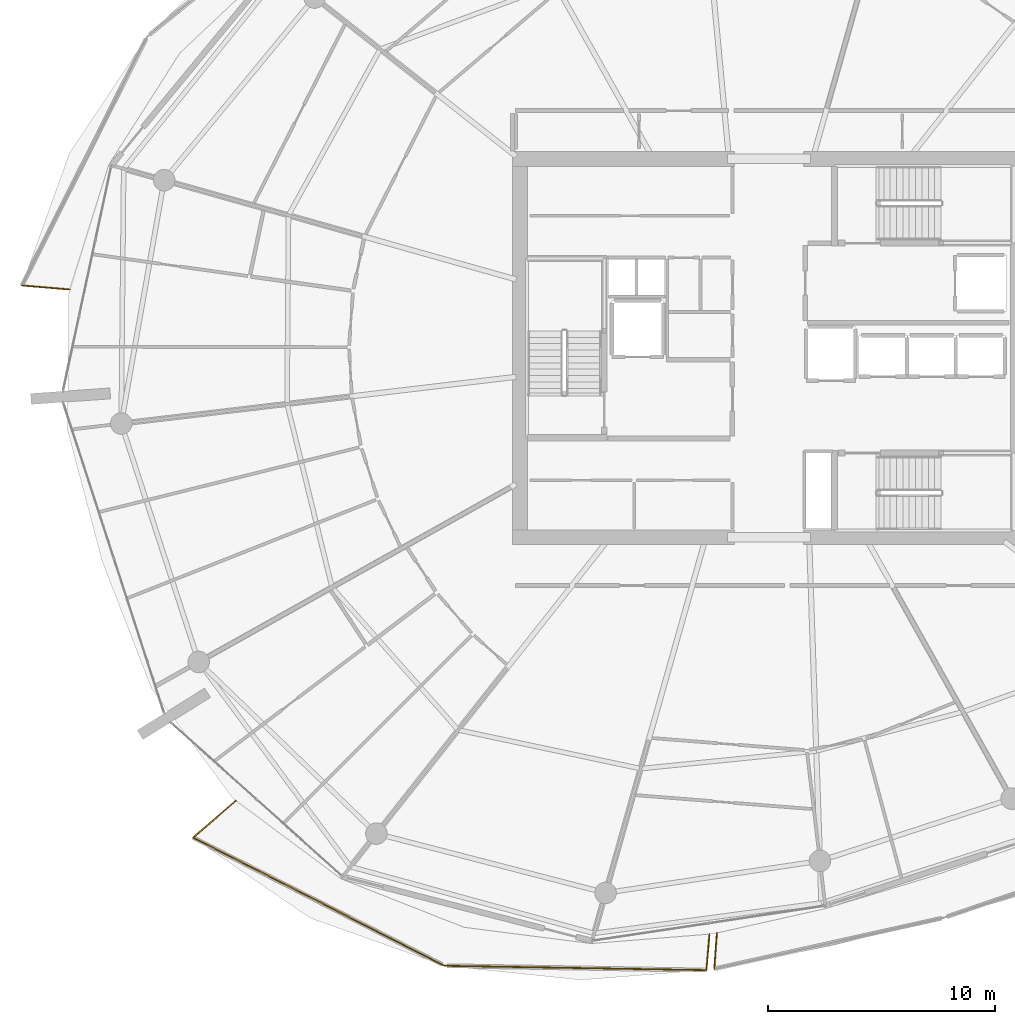
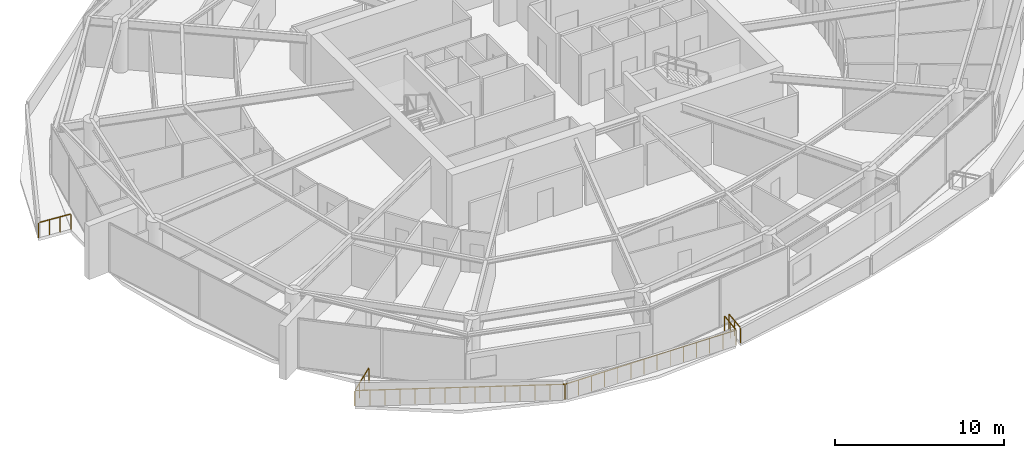
# One storey, part 23 of 29: 6 railings.
"""IFC4 building model written with IfcOpenShell, lengths in metres."""

from ifc_helpers import new_model, si_unit, direction, frame, origin, origin_2d, place, context, subcontext, project, spatial, rectangle, extrude, material, type_object, element, save


model = new_model("IFC4")

# Units and contexts
model_context = context("Model", 3, precision=1e-05, world=origin(), true_north=direction((0.0, 1.0)))
body_context = subcontext(model_context, "Body", "Model", "MODEL_VIEW")
ifc_project = project(units=[si_unit("LENGTHUNIT", "METRE"), si_unit("AREAUNIT", "SQUARE_METRE"), si_unit("VOLUMEUNIT", "CUBIC_METRE"), si_unit("PLANEANGLEUNIT", "RADIAN"), si_unit("MASSUNIT", "GRAM", prefix="KILO")], contexts=[model_context])

# Site, building, storey
site_placement = place(None, origin())
site = spatial("IfcSite", under=ifc_project, at=site_placement, CompositionType="ELEMENT")
building_placement = place(site_placement, origin())
building = spatial("IfcBuilding", under=site, at=building_placement, Name="Kazma Halo Residences", CompositionType="ELEMENT")
storey_placement = place(building_placement, frame((0.0, 0.0, 252.10009765625)))
storey = spatial("IfcBuildingStorey", under=building, at=storey_placement, Name="L63", CompositionType="ELEMENT", Elevation=252.10009765625)

# Railings
ifc_material = material(Name="Aluminium AW-6063 T6 Brushed Cap Rail", Category="aluminium")
railing_type = type_object("IfcRailingType", Name="RLG-BAL-CAP-1120", PredefinedType="BALUSTRADE", material=ifc_material)
railing_1_placement = place(storey_placement, frame((15.5458984375, 44.75390625, 0.0)))
element("IfcRailing", 1, at=railing_1_placement, inside=storey, type_object=railing_type, Name="L63 NW wave balcony guard 4", PredefinedType="BALUSTRADE", context=body_context, shape_type="SweptSolid", body=[
    extrude(rectangle(XDim=0.050048828125, YDim=0.050048828125, at=origin_2d()), frame((0.04248046875, -0.003662109375, 1.09521484375), z_axis=(0.996412127571, -0.084633752307, 0.0), x_axis=(0.084633752307, 0.996412127571, 0.0)), (0.0, 0.0, 1.0), 2.026611328125),
    extrude(rectangle(XDim=0.0400390625, YDim=0.0400390625, at=origin_2d()), origin(), (0.0, 0.0, 1.0), 1.05810546875),
    extrude(rectangle(XDim=0.0400390625, YDim=0.0400390625, at=origin_2d()), frame((0.701416015625, -0.0595703125, 0.0)), (0.0, 0.0, 1.0), 1.05810546875),
    extrude(rectangle(XDim=0.0400390625, YDim=0.0400390625, at=origin_2d()), frame((1.402587890625, -0.119140625, 0.0)), (0.0, 0.0, 1.0), 1.05810546875),
    extrude(rectangle(XDim=0.0400390625, YDim=0.0400390625, at=origin_2d()), frame((2.10400390625, -0.1787109375, 0.0)), (0.0, 0.0, 1.0), 1.05810546875),
])
railing_2_placement = place(storey_placement, frame((24.9599609375, 22.0771484375, 0.0)))
element("IfcRailing", 2, at=railing_2_placement, inside=storey, type_object=railing_type, Name="L63 SW wave balcony guard 1", PredefinedType="BALUSTRADE", context=body_context, shape_type="SweptSolid", body=[
    extrude(rectangle(XDim=0.050048828125, YDim=0.050048828125, at=origin_2d()), frame((-0.0322265625, -0.02783203125, 1.09521484375), z_axis=(-0.756451298214, -0.654050023645, 0.0), x_axis=(0.654050023645, -0.756451298214, 0.0)), (0.0, 0.0, 1.0), 2.396728515625),
    extrude(rectangle(XDim=0.0400390625, YDim=0.0400390625, at=origin_2d()), origin(), (0.0, 0.0, 1.0), 1.05810546875),
    extrude(rectangle(XDim=0.0400390625, YDim=0.0400390625, at=origin_2d()), frame((-0.625732421875, -0.541015625, 0.0)), (0.0, 0.0, 1.0), 1.05810546875),
    extrude(rectangle(XDim=0.0400390625, YDim=0.0400390625, at=origin_2d()), frame((-1.251708984375, -1.082275390625, 0.0)), (0.0, 0.0, 1.0), 1.05810546875),
    extrude(rectangle(XDim=0.0400390625, YDim=0.0400390625, at=origin_2d()), frame((-1.87744140625, -1.623291015625, 0.0)), (0.0, 0.0, 1.0), 1.05810546875),
])
railing_3_placement = place(storey_placement, frame((23.08251953125, 20.453857421875, 0.0)))
element("IfcRailing", 3, at=railing_3_placement, inside=storey, type_object=railing_type, Name="L63 SW wave balcony guard 2", PredefinedType="BALUSTRADE", context=body_context, shape_type="SweptSolid", body=[
    extrude(rectangle(XDim=0.050048828125, YDim=0.050048828125, at=origin_2d()), frame((0.037841796875, -0.019287109375, 1.09521484375), z_axis=(0.890888834387, -0.454221405004, 0.0), x_axis=(0.454221405004, 0.890888834387, 0.0)), (0.0, 0.0, 1.0), 12.334716796875),
    extrude(rectangle(XDim=0.0400390625, YDim=0.0400390625, at=origin_2d()), origin(), (0.0, 0.0, 1.0), 1.05810546875),
    extrude(rectangle(XDim=0.0400390625, YDim=0.0400390625, at=origin_2d()), frame((0.790283203125, -0.40283203125, 0.0)), (0.0, 0.0, 1.0), 1.05810546875),
    extrude(rectangle(XDim=0.0400390625, YDim=0.0400390625, at=origin_2d()), frame((1.58056640625, -0.805908203125, 0.0)), (0.0, 0.0, 1.0), 1.05810546875),
    extrude(rectangle(XDim=0.0400390625, YDim=0.0400390625, at=origin_2d()), frame((2.37109375, -1.208984375, 0.0)), (0.0, 0.0, 1.0), 1.05810546875),
    extrude(rectangle(XDim=0.0400390625, YDim=0.0400390625, at=origin_2d()), frame((3.161376953125, -1.61181640625, 0.0)), (0.0, 0.0, 1.0), 1.05810546875),
    extrude(rectangle(XDim=0.0400390625, YDim=0.0400390625, at=origin_2d()), frame((3.95166015625, -2.0146484375, 0.0)), (0.0, 0.0, 1.0), 1.05810546875),
    extrude(rectangle(XDim=0.0400390625, YDim=0.0400390625, at=origin_2d()), frame((4.741943359375, -2.417724609375, 0.0)), (0.0, 0.0, 1.0), 1.05810546875),
    extrude(rectangle(XDim=0.0400390625, YDim=0.0400390625, at=origin_2d()), frame((5.5322265625, -2.82080078125, 0.0)), (0.0, 0.0, 1.0), 1.05810546875),
    extrude(rectangle(XDim=0.0400390625, YDim=0.0400390625, at=origin_2d()), frame((6.32275390625, -3.2236328125, 0.0)), (0.0, 0.0, 1.0), 1.05810546875),
    extrude(rectangle(XDim=0.0400390625, YDim=0.0400390625, at=origin_2d()), frame((7.113037109375, -3.626708984375, 0.0)), (0.0, 0.0, 1.0), 1.05810546875),
    extrude(rectangle(XDim=0.0400390625, YDim=0.0400390625, at=origin_2d()), frame((7.9033203125, -4.029541015625, 0.0)), (0.0, 0.0, 1.0), 1.05810546875),
    extrude(rectangle(XDim=0.0400390625, YDim=0.0400390625, at=origin_2d()), frame((8.693603515625, -4.4326171875, 0.0)), (0.0, 0.0, 1.0), 1.05810546875),
    extrude(rectangle(XDim=0.0400390625, YDim=0.0400390625, at=origin_2d()), frame((9.484130859375, -4.83544921875, 0.0)), (0.0, 0.0, 1.0), 1.05810546875),
    extrude(rectangle(XDim=0.0400390625, YDim=0.0400390625, at=origin_2d()), frame((10.2744140625, -5.23828125, 0.0)), (0.0, 0.0, 1.0), 1.05810546875),
    extrude(rectangle(XDim=0.0400390625, YDim=0.0400390625, at=origin_2d()), frame((11.064697265625, -5.641357421875, 0.0)), (0.0, 0.0, 1.0), 1.05810546875),
])
railing_4_placement = place(storey_placement, frame((34.147216796875, 14.8125, 0.0)))
element("IfcRailing", 4, at=railing_4_placement, inside=storey, type_object=railing_type, Name="L63 SW wave balcony guard 3", PredefinedType="BALUSTRADE", context=body_context, shape_type="SweptSolid", body=[
    extrude(rectangle(XDim=0.050048828125, YDim=0.050048828125, at=origin_2d()), frame((0.04248046875, -0.000732421875, 1.09521484375), z_axis=(0.999862231462, -0.01659873776, 0.0), x_axis=(0.01659873776, 0.999862231462, 0.0)), (0.0, 0.0, 1.0), 11.4462890625),
    extrude(rectangle(XDim=0.0400390625, YDim=0.0400390625, at=origin_2d()), origin(), (0.0, 0.0, 1.0), 1.05810546875),
    extrude(rectangle(XDim=0.0400390625, YDim=0.0400390625, at=origin_2d()), frame((0.886962890625, -0.0146484375, 0.0)), (0.0, 0.0, 1.0), 1.05810546875),
    extrude(rectangle(XDim=0.0400390625, YDim=0.0400390625, at=origin_2d()), frame((1.77392578125, -0.029541015625, 0.0)), (0.0, 0.0, 1.0), 1.05810546875),
    extrude(rectangle(XDim=0.0400390625, YDim=0.0400390625, at=origin_2d()), frame((2.66064453125, -0.044189453125, 0.0)), (0.0, 0.0, 1.0), 1.05810546875),
    extrude(rectangle(XDim=0.0400390625, YDim=0.0400390625, at=origin_2d()), frame((3.547607421875, -0.058837890625, 0.0)), (0.0, 0.0, 1.0), 1.05810546875),
    extrude(rectangle(XDim=0.0400390625, YDim=0.0400390625, at=origin_2d()), frame((4.4345703125, -0.07373046875, 0.0)), (0.0, 0.0, 1.0), 1.05810546875),
    extrude(rectangle(XDim=0.0400390625, YDim=0.0400390625, at=origin_2d()), frame((5.321533203125, -0.08837890625, 0.0)), (0.0, 0.0, 1.0), 1.05810546875),
    extrude(rectangle(XDim=0.0400390625, YDim=0.0400390625, at=origin_2d()), frame((6.208251953125, -0.10302734375, 0.0)), (0.0, 0.0, 1.0), 1.05810546875),
    extrude(rectangle(XDim=0.0400390625, YDim=0.0400390625, at=origin_2d()), frame((7.09521484375, -0.11767578125, 0.0)), (0.0, 0.0, 1.0), 1.05810546875),
    extrude(rectangle(XDim=0.0400390625, YDim=0.0400390625, at=origin_2d()), frame((7.982177734375, -0.132568359375, 0.0)), (0.0, 0.0, 1.0), 1.05810546875),
    extrude(rectangle(XDim=0.0400390625, YDim=0.0400390625, at=origin_2d()), frame((8.869140625, -0.147216796875, 0.0)), (0.0, 0.0, 1.0), 1.05810546875),
    extrude(rectangle(XDim=0.0400390625, YDim=0.0400390625, at=origin_2d()), frame((9.755859375, -0.161865234375, 0.0)), (0.0, 0.0, 1.0), 1.05810546875),
    extrude(rectangle(XDim=0.0400390625, YDim=0.0400390625, at=origin_2d()), frame((10.642822265625, -0.1767578125, 0.0)), (0.0, 0.0, 1.0), 1.05810546875),
    extrude(rectangle(XDim=0.0400390625, YDim=0.0400390625, at=origin_2d()), frame((11.52978515625, -0.19140625, 0.0)), (0.0, 0.0, 1.0), 1.05810546875),
])
railing_5_placement = place(storey_placement, frame((45.677001953125, 14.62109375, 0.0)))
element("IfcRailing", 5, at=railing_5_placement, inside=storey, type_object=railing_type, Name="L63 SW wave balcony guard 4", PredefinedType="BALUSTRADE", context=body_context, shape_type="SweptSolid", body=[
    extrude(rectangle(XDim=0.050048828125, YDim=0.050048828125, at=origin_2d()), frame((0.003662109375, 0.04248046875, 1.09521484375), z_axis=(0.084430160174, 0.996429399432, 0.0), x_axis=(-0.996429399432, 0.084430160174, 0.0)), (0.0, 0.0, 1.0), 1.50537109375),
    extrude(rectangle(XDim=0.0400390625, YDim=0.0400390625, at=origin_2d()), origin(), (0.0, 0.0, 1.0), 1.05810546875),
    extrude(rectangle(XDim=0.0400390625, YDim=0.0400390625, at=origin_2d()), frame((0.067138671875, 0.79248046875, 0.0)), (0.0, 0.0, 1.0), 1.05810546875),
    extrude(rectangle(XDim=0.0400390625, YDim=0.0400390625, at=origin_2d()), frame((0.13427734375, 1.584716796875, 0.0)), (0.0, 0.0, 1.0), 1.05810546875),
])
railing_6_placement = place(storey_placement, frame((46.1318359375, 16.25390625, 0.0)))
element("IfcRailing", 6, at=railing_6_placement, inside=storey, type_object=railing_type, Name="L63 SSE wave balcony guard 1", PredefinedType="BALUSTRADE", context=body_context, shape_type="SweptSolid", body=[
    extrude(rectangle(XDim=0.050048828125, YDim=0.050048828125, at=origin_2d()), frame((-0.003173828125, -0.04248046875, 1.09521484375), z_axis=(-0.072374162312, -0.997377551697, 0.0), x_axis=(0.997377551697, -0.072374162312, 0.0)), (0.0, 0.0, 1.0), 1.50048828125),
    extrude(rectangle(XDim=0.0400390625, YDim=0.0400390625, at=origin_2d()), origin(), (0.0, 0.0, 1.0), 1.05810546875),
    extrude(rectangle(XDim=0.0400390625, YDim=0.0400390625, at=origin_2d()), frame((-0.057373046875, -0.79052734375, 0.0)), (0.0, 0.0, 1.0), 1.05810546875),
    extrude(rectangle(XDim=0.0400390625, YDim=0.0400390625, at=origin_2d()), frame((-0.11474609375, -1.581298828125, 0.0)), (0.0, 0.0, 1.0), 1.05810546875),
])

save(model, "model.ifc")
